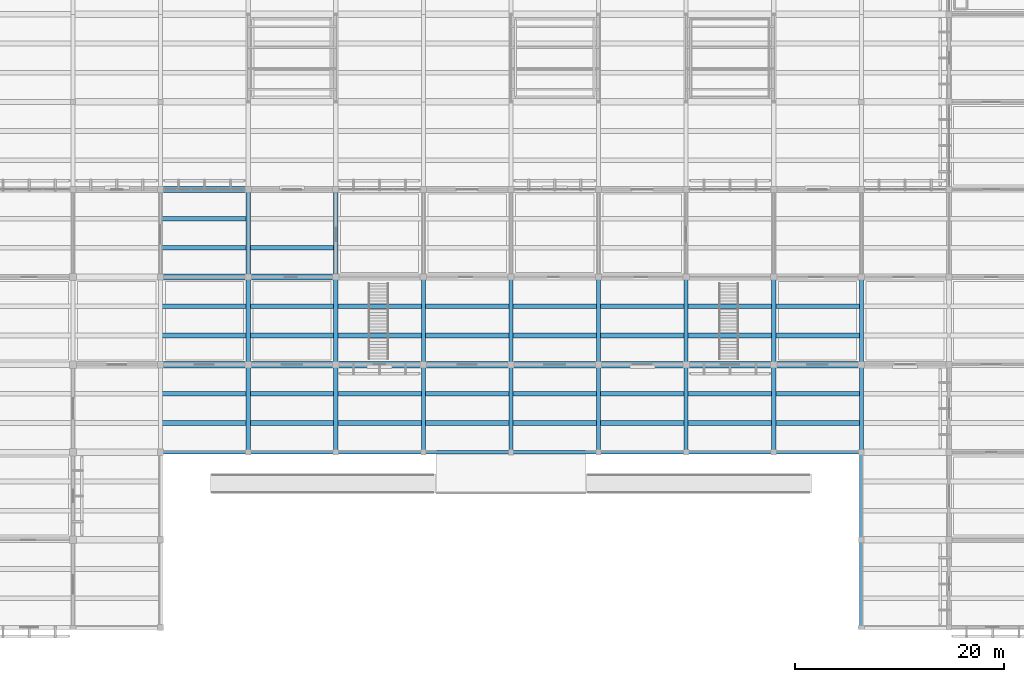
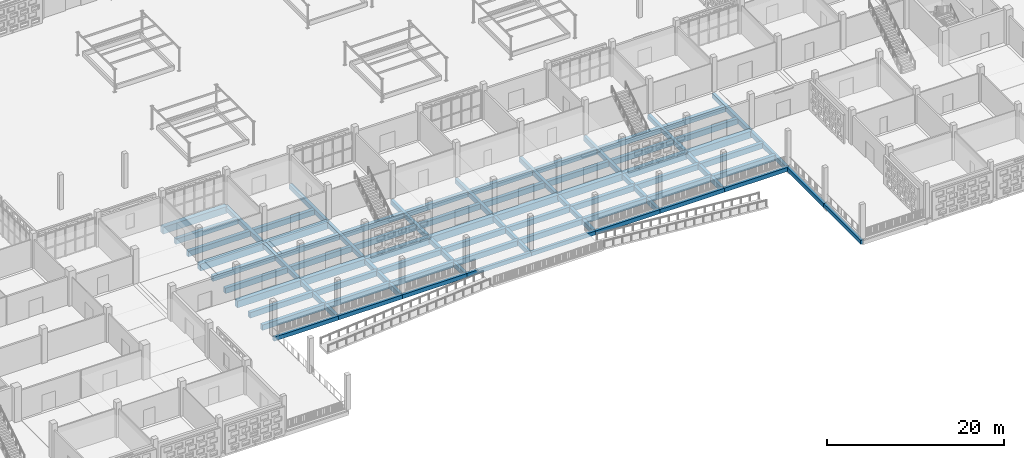
# One storey, part 8 of 129: 74 beams.
"""IFC4 building model written with IfcOpenShell, lengths in metres."""

from ifc_helpers import new_model, si_unit, direction, frame, origin, origin_2d, place, context, subcontext, project, spatial, rectangle, extrude, material, material_profile, profile_set, type_object, element, save


model = new_model("IFC4")

# Units and contexts
model_context = context("Model", 3, precision=1e-05, world=origin(), true_north=direction((0.0, 1.0)))
body_context = subcontext(model_context, "Body", "Model", "MODEL_VIEW")
ifc_project = project(units=[si_unit("LENGTHUNIT", "METRE"), si_unit("AREAUNIT", "SQUARE_METRE"), si_unit("VOLUMEUNIT", "CUBIC_METRE"), si_unit("PLANEANGLEUNIT", "RADIAN"), si_unit("MASSUNIT", "GRAM", prefix="KILO")], contexts=[model_context])

# Site, building, storey
site_placement = place(None, origin())
site = spatial("IfcSite", under=ifc_project, at=site_placement, CompositionType="ELEMENT")
building_placement = place(site_placement, origin())
building = spatial("IfcBuilding", under=site, at=building_placement, Name="Varnapada Polytechnic", CompositionType="ELEMENT")
storey_placement = place(building_placement, origin())
storey = spatial("IfcBuildingStorey", under=building, at=storey_placement, Name="L00", CompositionType="ELEMENT", Elevation=0.0)

# Beams
ifc_material = material(Name="Concrete C40/50", Category="concrete")
ifc_material_profile_1 = material_profile(ifc_material, rectangle(XDim=0.449951171875, YDim=0.75, at=origin_2d()), Name="RC 450x750")
ifc_profile_set_1 = profile_set([ifc_material_profile_1], Name="Concrete C40/50")
beam_type_1 = type_object("IfcBeamType", Name="Basement/podium secondary beam BB-01 (RC 450x750)", PredefinedType="BEAM", material=ifc_profile_set_1)
for number, where, z_axis, x_axis, name in (
    (1, (58.8798828125, 19.60009765625, -0.655029296875), (1.0, 0.0, 0.0), (0.0, 1.0, 0.0), "L00 floor joist 8/3.1"),
    (2, (58.8798828125, 22.39990234375, -0.655029296875), (1.0, 0.0, 0.0), (0.0, 1.0, 0.0), "L00 floor joist 8/3.2"),
    (3, (58.8798828125, 28.0, -0.675048828125), (1.0, 0.0, 0.0), (0.0, 1.0, 0.0), "L00 floor joist 8/4.1"),
    (4, (58.8798828125, 30.800048828125, -0.675048828125), (1.0, 0.0, 0.0), (0.0, 1.0, 0.0), "L00 floor joist 8/4.2"),
    (5, (58.8798828125, 36.39990234375, -0.675048828125), (1.0, 0.0, 0.0), (0.0, 1.0, 0.0), "L00 floor joist 8/5.1"),
    (6, (58.8798828125, 39.199951171875, -0.675048828125), (1.0, 0.0, 0.0), (0.0, 1.0, 0.0), "L00 floor joist 8/5.2"),
):
    element("IfcBeam", number, at=place(storey_placement, frame(where, z_axis=z_axis, x_axis=x_axis)), inside=storey, type_object=beam_type_1, Name=name, PredefinedType="BEAM", context=body_context, shape_type="SweptSolid", body=[
        extrude(rectangle(XDim=0.449951171875, YDim=0.75, at=origin_2d()), origin(), (0.0, 0.0, 1.0), 8.240234375),
    ])
for number, where, z_axis, x_axis, name in (
    (7, (67.280029296875, 19.60009765625, -0.655029296875), (1.0, 0.0, 0.0), (0.0, 1.0, 0.0), "L00 floor joist 9/3.1"),
    (8, (67.280029296875, 22.39990234375, -0.655029296875), (1.0, 0.0, 0.0), (0.0, 1.0, 0.0), "L00 floor joist 9/3.2"),
    (9, (67.280029296875, 28.0, -0.675048828125), (1.0, 0.0, 0.0), (0.0, 1.0, 0.0), "L00 floor joist 9/4.1"),
    (10, (67.280029296875, 30.800048828125, -0.675048828125), (1.0, 0.0, 0.0), (0.0, 1.0, 0.0), "L00 floor joist 9/4.2"),
    (11, (67.280029296875, 36.39990234375, -0.675048828125), (1.0, 0.0, 0.0), (0.0, 1.0, 0.0), "L00 floor joist 9/5.1"),
    (12, (75.679931640625, 19.60009765625, -0.655029296875), (1.0, 0.0, 0.0), (0.0, 1.0, 0.0), "L00 floor joist 10/3.1"),
    (13, (75.679931640625, 22.39990234375, -0.655029296875), (1.0, 0.0, 0.0), (0.0, 1.0, 0.0), "L00 floor joist 10/3.2"),
    (14, (75.679931640625, 28.0, -0.675048828125), (1.0, 0.0, 0.0), (0.0, 1.0, 0.0), "L00 floor joist 10/4.1"),
    (15, (75.679931640625, 30.800048828125, -0.675048828125), (1.0, 0.0, 0.0), (0.0, 1.0, 0.0), "L00 floor joist 10/4.2"),
    (16, (84.080078125, 19.60009765625, -0.655029296875), (1.0, 0.0, 0.0), (0.0, 1.0, 0.0), "L00 floor joist 11/3.1"),
    (17, (84.080078125, 22.39990234375, -0.655029296875), (1.0, 0.0, 0.0), (0.0, 1.0, 0.0), "L00 floor joist 11/3.2"),
    (18, (84.080078125, 28.0, -0.675048828125), (1.0, 0.0, 0.0), (0.0, 1.0, 0.0), "L00 floor joist 11/4.1"),
    (19, (84.080078125, 30.800048828125, -0.675048828125), (1.0, 0.0, 0.0), (0.0, 1.0, 0.0), "L00 floor joist 11/4.2"),
    (20, (92.47998046875, 19.60009765625, -0.655029296875), (1.0, 0.0, 0.0), (0.0, 1.0, 0.0), "L00 floor joist 12/3.1"),
    (21, (92.47998046875, 22.39990234375, -0.655029296875), (1.0, 0.0, 0.0), (0.0, 1.0, 0.0), "L00 floor joist 12/3.2"),
    (22, (92.47998046875, 28.0, -0.675048828125), (1.0, 0.0, 0.0), (0.0, 1.0, 0.0), "L00 floor joist 12/4.1"),
    (23, (92.47998046875, 30.800048828125, -0.675048828125), (1.0, 0.0, 0.0), (0.0, 1.0, 0.0), "L00 floor joist 12/4.2"),
):
    element("IfcBeam", number, at=place(storey_placement, frame(where, z_axis=z_axis, x_axis=x_axis)), inside=storey, type_object=beam_type_1, Name=name, PredefinedType="BEAM", context=body_context, shape_type="SweptSolid", body=[
        extrude(rectangle(XDim=0.449951171875, YDim=0.75, at=origin_2d()), origin(), (0.0, 0.0, 1.0), 8.239990234375),
    ])
for number, where, z_axis, x_axis, name in (
    (24, (100.8798828125, 19.60009765625, -0.655029296875), (1.0, 0.0, 0.0), (0.0, 1.0, 0.0), "L00 floor joist 13/3.1"),
    (25, (100.8798828125, 22.39990234375, -0.655029296875), (1.0, 0.0, 0.0), (0.0, 1.0, 0.0), "L00 floor joist 13/3.2"),
    (26, (100.8798828125, 28.0, -0.675048828125), (1.0, 0.0, 0.0), (0.0, 1.0, 0.0), "L00 floor joist 13/4.1"),
    (27, (100.8798828125, 30.800048828125, -0.675048828125), (1.0, 0.0, 0.0), (0.0, 1.0, 0.0), "L00 floor joist 13/4.2"),
):
    element("IfcBeam", number, at=place(storey_placement, frame(where, z_axis=z_axis, x_axis=x_axis)), inside=storey, type_object=beam_type_1, Name=name, PredefinedType="BEAM", context=body_context, shape_type="SweptSolid", body=[
        extrude(rectangle(XDim=0.449951171875, YDim=0.75, at=origin_2d()), origin(), (0.0, 0.0, 1.0), 8.240234375),
    ])
for number, where, z_axis, x_axis, name in (
    (28, (109.280029296875, 19.60009765625, -0.655029296875), (1.0, 0.0, 0.0), (0.0, 1.0, 0.0), "L00 floor joist 14/3.1"),
    (29, (109.280029296875, 22.39990234375, -0.655029296875), (1.0, 0.0, 0.0), (0.0, 1.0, 0.0), "L00 floor joist 14/3.2"),
    (30, (109.280029296875, 28.0, -0.675048828125), (1.0, 0.0, 0.0), (0.0, 1.0, 0.0), "L00 floor joist 14/4.1"),
    (31, (109.280029296875, 30.800048828125, -0.675048828125), (1.0, 0.0, 0.0), (0.0, 1.0, 0.0), "L00 floor joist 14/4.2"),
    (32, (117.679931640625, 19.60009765625, -0.655029296875), (1.0, 0.0, 0.0), (0.0, 1.0, 0.0), "L00 floor joist 15/3.1"),
    (33, (117.679931640625, 22.39990234375, -0.655029296875), (1.0, 0.0, 0.0), (0.0, 1.0, 0.0), "L00 floor joist 15/3.2"),
    (34, (117.679931640625, 28.0, -0.675048828125), (1.0, 0.0, 0.0), (0.0, 1.0, 0.0), "L00 floor joist 15/4.1"),
    (35, (117.679931640625, 30.800048828125, -0.675048828125), (1.0, 0.0, 0.0), (0.0, 1.0, 0.0), "L00 floor joist 15/4.2"),
):
    element("IfcBeam", number, at=place(storey_placement, frame(where, z_axis=z_axis, x_axis=x_axis)), inside=storey, type_object=beam_type_1, Name=name, PredefinedType="BEAM", context=body_context, shape_type="SweptSolid", body=[
        extrude(rectangle(XDim=0.449951171875, YDim=0.75, at=origin_2d()), origin(), (0.0, 0.0, 1.0), 8.239990234375),
    ])
ifc_material_profile_2 = material_profile(ifc_material, rectangle(XDim=0.35009765625, YDim=0.550048828125, at=origin_2d()), Name="RC 350x550")
ifc_profile_set_2 = profile_set([ifc_material_profile_2], Name="Concrete C40/50")
beam_type_2 = type_object("IfcBeamType", Name="Concrete podium spandrel beam SP-01 (RC 350x550)", PredefinedType="SPANDREL", material=ifc_profile_set_2)
beam_1_placement = place(storey_placement, frame((58.800048828125, 16.800048828125, -0.554931640625), z_axis=(1.0, 0.0, 0.0), x_axis=(0.0, 1.0, 0.0)))
element("IfcBeam", 36, at=beam_1_placement, inside=storey, type_object=beam_type_2, Name="L00 beam X 8-9 at Y3", PredefinedType="SPANDREL", context=body_context, shape_type="SweptSolid", body=[
    extrude(rectangle(XDim=0.35009765625, YDim=0.550048828125, at=origin_2d()), origin(), (0.0, 0.0, 1.0), 8.39990234375),
])
beam_2_placement = place(storey_placement, frame((67.199951171875, 16.800048828125, -0.554931640625), z_axis=(1.0, 0.0, 0.0), x_axis=(0.0, 1.0, 0.0)))
element("IfcBeam", 37, at=beam_2_placement, inside=storey, type_object=beam_type_2, Name="L00 beam X 9-10 at Y3", PredefinedType="SPANDREL", context=body_context, shape_type="SweptSolid", body=[
    extrude(rectangle(XDim=0.35009765625, YDim=0.550048828125, at=origin_2d()), origin(), (0.0, 0.0, 1.0), 8.400146484375),
])
for number, where, z_axis, x_axis, name in (
    (38, (75.60009765625, 16.800048828125, -0.554931640625), (1.0, 0.0, 0.0), (0.0, 1.0, 0.0), "L00 beam X 10-11 at Y3"),
    (39, (84.0, 16.800048828125, -0.554931640625), (1.0, 0.0, 0.0), (0.0, 1.0, 0.0), "L00 beam X 11-12 at Y3"),
):
    element("IfcBeam", number, at=place(storey_placement, frame(where, z_axis=z_axis, x_axis=x_axis)), inside=storey, type_object=beam_type_2, Name=name, PredefinedType="SPANDREL", context=body_context, shape_type="SweptSolid", body=[
        extrude(rectangle(XDim=0.35009765625, YDim=0.550048828125, at=origin_2d()), origin(), (0.0, 0.0, 1.0), 8.39990234375),
    ])
beam_3_placement = place(storey_placement, frame((92.39990234375, 16.800048828125, -0.554931640625), z_axis=(1.0, 0.0, 0.0), x_axis=(0.0, 1.0, 0.0)))
element("IfcBeam", 40, at=beam_3_placement, inside=storey, type_object=beam_type_2, Name="L00 beam X 12-13 at Y3", PredefinedType="SPANDREL", context=body_context, shape_type="SweptSolid", body=[
    extrude(rectangle(XDim=0.35009765625, YDim=0.550048828125, at=origin_2d()), origin(), (0.0, 0.0, 1.0), 8.400146484375),
])
beam_4_placement = place(storey_placement, frame((100.800048828125, 16.800048828125, -0.554931640625), z_axis=(1.0, 0.0, 0.0), x_axis=(0.0, 1.0, 0.0)))
element("IfcBeam", 41, at=beam_4_placement, inside=storey, type_object=beam_type_2, Name="L00 beam X 13-14 at Y3", PredefinedType="SPANDREL", context=body_context, shape_type="SweptSolid", body=[
    extrude(rectangle(XDim=0.35009765625, YDim=0.550048828125, at=origin_2d()), origin(), (0.0, 0.0, 1.0), 8.39990234375),
])
beam_5_placement = place(storey_placement, frame((109.199951171875, 16.800048828125, -0.554931640625), z_axis=(1.0, 0.0, 0.0), x_axis=(0.0, 1.0, 0.0)))
element("IfcBeam", 42, at=beam_5_placement, inside=storey, type_object=beam_type_2, Name="L00 beam X 14-15 at Y3", PredefinedType="SPANDREL", context=body_context, shape_type="SweptSolid", body=[
    extrude(rectangle(XDim=0.35009765625, YDim=0.550048828125, at=origin_2d()), origin(), (0.0, 0.0, 1.0), 8.400146484375),
])
for number, where, z_axis, x_axis, name in (
    (43, (117.60009765625, 16.800048828125, -0.554931640625), (1.0, 0.0, 0.0), (0.0, 1.0, 0.0), "L00 beam X 15-16 at Y3"),
    (44, (126.0, 0.0, -0.554931640625), (0.0, 1.0, 0.0), (-1.0, 0.0, 0.0), "L00 beam Y 1-2 at X16"),
):
    element("IfcBeam", number, at=place(storey_placement, frame(where, z_axis=z_axis, x_axis=x_axis)), inside=storey, type_object=beam_type_2, Name=name, PredefinedType="SPANDREL", context=body_context, shape_type="SweptSolid", body=[
        extrude(rectangle(XDim=0.35009765625, YDim=0.550048828125, at=origin_2d()), origin(), (0.0, 0.0, 1.0), 8.39990234375),
    ])
beam_6_placement = place(storey_placement, frame((126.0, 8.39990234375, -0.554931640625), z_axis=(0.0, 1.0, 0.0), x_axis=(-1.0, 0.0, 0.0)))
element("IfcBeam", 45, at=beam_6_placement, inside=storey, type_object=beam_type_2, Name="L00 beam Y 2-3 at X16", PredefinedType="SPANDREL", context=body_context, shape_type="SweptSolid", body=[
    extrude(rectangle(XDim=0.35009765625, YDim=0.550048828125, at=origin_2d()), origin(), (0.0, 0.0, 1.0), 8.400146484375),
])
ifc_material_profile_3 = material_profile(ifc_material, rectangle(XDim=0.39990234375, YDim=0.64990234375, at=origin_2d()), Name="RC 400x650")
ifc_profile_set_3 = profile_set([ifc_material_profile_3], Name="Concrete C40/50")
beam_type_3 = type_object("IfcBeamType", Name="Podium framing beam BB-02 (RC 400x650)", PredefinedType="BEAM", material=ifc_profile_set_3)
beam_7_placement = place(storey_placement, frame((67.199951171875, 16.800048828125, -0.625), z_axis=(0.0, 1.0, 0.0), x_axis=(-1.0, 0.0, 0.0)))
element("IfcBeam", 46, at=beam_7_placement, inside=storey, type_object=beam_type_3, Name="L00 beam Y 3-4 at X9", PredefinedType="BEAM", context=body_context, shape_type="SweptSolid", body=[
    extrude(rectangle(XDim=0.39990234375, YDim=0.64990234375, at=origin_2d()), origin(), (0.0, 0.0, 1.0), 8.39990234375),
])
beam_8_placement = place(storey_placement, frame((67.199951171875, 25.199951171875, -0.625), z_axis=(0.0, 1.0, 0.0), x_axis=(-1.0, 0.0, 0.0)))
element("IfcBeam", 47, at=beam_8_placement, inside=storey, type_object=beam_type_3, Name="L00 beam Y 4-5 at X9", PredefinedType="BEAM", context=body_context, shape_type="SweptSolid", body=[
    extrude(rectangle(XDim=0.39990234375, YDim=0.64990234375, at=origin_2d()), origin(), (0.0, 0.0, 1.0), 8.400146484375),
])
for number, where, z_axis, x_axis, name in (
    (48, (67.199951171875, 33.60009765625, -0.625), (0.0, 1.0, 0.0), (-1.0, 0.0, 0.0), "L00 beam Y 5-6 at X9"),
    (49, (75.60009765625, 16.800048828125, -0.625), (0.0, 1.0, 0.0), (-1.0, 0.0, 0.0), "L00 beam Y 3-4 at X10"),
):
    element("IfcBeam", number, at=place(storey_placement, frame(where, z_axis=z_axis, x_axis=x_axis)), inside=storey, type_object=beam_type_3, Name=name, PredefinedType="BEAM", context=body_context, shape_type="SweptSolid", body=[
        extrude(rectangle(XDim=0.39990234375, YDim=0.64990234375, at=origin_2d()), origin(), (0.0, 0.0, 1.0), 8.39990234375),
    ])
beam_9_placement = place(storey_placement, frame((75.60009765625, 25.199951171875, -0.625), z_axis=(0.0, 1.0, 0.0), x_axis=(-1.0, 0.0, 0.0)))
element("IfcBeam", 50, at=beam_9_placement, inside=storey, type_object=beam_type_3, Name="L00 beam Y 4-5 at X10", PredefinedType="BEAM", context=body_context, shape_type="SweptSolid", body=[
    extrude(rectangle(XDim=0.39990234375, YDim=0.64990234375, at=origin_2d()), origin(), (0.0, 0.0, 1.0), 8.400146484375),
])
for number, where, z_axis, x_axis, name in (
    (51, (75.60009765625, 33.60009765625, -0.625), (0.0, 1.0, 0.0), (-1.0, 0.0, 0.0), "L00 beam Y 5-6 at X10"),
    (52, (84.0, 16.800048828125, -0.625), (0.0, 1.0, 0.0), (-1.0, 0.0, 0.0), "L00 beam Y 3-4 at X11"),
):
    element("IfcBeam", number, at=place(storey_placement, frame(where, z_axis=z_axis, x_axis=x_axis)), inside=storey, type_object=beam_type_3, Name=name, PredefinedType="BEAM", context=body_context, shape_type="SweptSolid", body=[
        extrude(rectangle(XDim=0.39990234375, YDim=0.64990234375, at=origin_2d()), origin(), (0.0, 0.0, 1.0), 8.39990234375),
    ])
beam_10_placement = place(storey_placement, frame((84.0, 25.199951171875, -0.625), z_axis=(0.0, 1.0, 0.0), x_axis=(-1.0, 0.0, 0.0)))
element("IfcBeam", 53, at=beam_10_placement, inside=storey, type_object=beam_type_3, Name="L00 beam Y 4-5 at X11", PredefinedType="BEAM", context=body_context, shape_type="SweptSolid", body=[
    extrude(rectangle(XDim=0.39990234375, YDim=0.64990234375, at=origin_2d()), origin(), (0.0, 0.0, 1.0), 8.400146484375),
])
beam_11_placement = place(storey_placement, frame((92.39990234375, 16.800048828125, -0.625), z_axis=(0.0, 1.0, 0.0), x_axis=(-1.0, 0.0, 0.0)))
element("IfcBeam", 54, at=beam_11_placement, inside=storey, type_object=beam_type_3, Name="L00 beam Y 3-4 at X12", PredefinedType="BEAM", context=body_context, shape_type="SweptSolid", body=[
    extrude(rectangle(XDim=0.39990234375, YDim=0.64990234375, at=origin_2d()), origin(), (0.0, 0.0, 1.0), 8.39990234375),
])
beam_12_placement = place(storey_placement, frame((92.39990234375, 25.199951171875, -0.625), z_axis=(0.0, 1.0, 0.0), x_axis=(-1.0, 0.0, 0.0)))
element("IfcBeam", 55, at=beam_12_placement, inside=storey, type_object=beam_type_3, Name="L00 beam Y 4-5 at X12", PredefinedType="BEAM", context=body_context, shape_type="SweptSolid", body=[
    extrude(rectangle(XDim=0.39990234375, YDim=0.64990234375, at=origin_2d()), origin(), (0.0, 0.0, 1.0), 8.400146484375),
])
beam_13_placement = place(storey_placement, frame((100.800048828125, 16.800048828125, -0.625), z_axis=(0.0, 1.0, 0.0), x_axis=(-1.0, 0.0, 0.0)))
element("IfcBeam", 56, at=beam_13_placement, inside=storey, type_object=beam_type_3, Name="L00 beam Y 3-4 at X13", PredefinedType="BEAM", context=body_context, shape_type="SweptSolid", body=[
    extrude(rectangle(XDim=0.39990234375, YDim=0.64990234375, at=origin_2d()), origin(), (0.0, 0.0, 1.0), 8.39990234375),
])
beam_14_placement = place(storey_placement, frame((100.800048828125, 25.199951171875, -0.625), z_axis=(0.0, 1.0, 0.0), x_axis=(-1.0, 0.0, 0.0)))
element("IfcBeam", 57, at=beam_14_placement, inside=storey, type_object=beam_type_3, Name="L00 beam Y 4-5 at X13", PredefinedType="BEAM", context=body_context, shape_type="SweptSolid", body=[
    extrude(rectangle(XDim=0.39990234375, YDim=0.64990234375, at=origin_2d()), origin(), (0.0, 0.0, 1.0), 8.400146484375),
])
beam_15_placement = place(storey_placement, frame((109.199951171875, 16.800048828125, -0.625), z_axis=(0.0, 1.0, 0.0), x_axis=(-1.0, 0.0, 0.0)))
element("IfcBeam", 58, at=beam_15_placement, inside=storey, type_object=beam_type_3, Name="L00 beam Y 3-4 at X14", PredefinedType="BEAM", context=body_context, shape_type="SweptSolid", body=[
    extrude(rectangle(XDim=0.39990234375, YDim=0.64990234375, at=origin_2d()), origin(), (0.0, 0.0, 1.0), 8.39990234375),
])
beam_16_placement = place(storey_placement, frame((109.199951171875, 25.199951171875, -0.625), z_axis=(0.0, 1.0, 0.0), x_axis=(-1.0, 0.0, 0.0)))
element("IfcBeam", 59, at=beam_16_placement, inside=storey, type_object=beam_type_3, Name="L00 beam Y 4-5 at X14", PredefinedType="BEAM", context=body_context, shape_type="SweptSolid", body=[
    extrude(rectangle(XDim=0.39990234375, YDim=0.64990234375, at=origin_2d()), origin(), (0.0, 0.0, 1.0), 8.400146484375),
])
beam_17_placement = place(storey_placement, frame((117.60009765625, 16.800048828125, -0.625), z_axis=(0.0, 1.0, 0.0), x_axis=(-1.0, 0.0, 0.0)))
element("IfcBeam", 60, at=beam_17_placement, inside=storey, type_object=beam_type_3, Name="L00 beam Y 3-4 at X15", PredefinedType="BEAM", context=body_context, shape_type="SweptSolid", body=[
    extrude(rectangle(XDim=0.39990234375, YDim=0.64990234375, at=origin_2d()), origin(), (0.0, 0.0, 1.0), 8.39990234375),
])
beam_18_placement = place(storey_placement, frame((117.60009765625, 25.199951171875, -0.625), z_axis=(0.0, 1.0, 0.0), x_axis=(-1.0, 0.0, 0.0)))
element("IfcBeam", 61, at=beam_18_placement, inside=storey, type_object=beam_type_3, Name="L00 beam Y 4-5 at X15", PredefinedType="BEAM", context=body_context, shape_type="SweptSolid", body=[
    extrude(rectangle(XDim=0.39990234375, YDim=0.64990234375, at=origin_2d()), origin(), (0.0, 0.0, 1.0), 8.400146484375),
])
beam_19_placement = place(storey_placement, frame((126.0, 16.800048828125, -0.625), z_axis=(0.0, 1.0, 0.0), x_axis=(-1.0, 0.0, 0.0)))
element("IfcBeam", 62, at=beam_19_placement, inside=storey, type_object=beam_type_3, Name="L00 beam Y 3-4 at X16", PredefinedType="BEAM", context=body_context, shape_type="SweptSolid", body=[
    extrude(rectangle(XDim=0.39990234375, YDim=0.64990234375, at=origin_2d()), origin(), (0.0, 0.0, 1.0), 8.39990234375),
])
beam_20_placement = place(storey_placement, frame((126.0, 25.199951171875, -0.625), z_axis=(0.0, 1.0, 0.0), x_axis=(-1.0, 0.0, 0.0)))
element("IfcBeam", 63, at=beam_20_placement, inside=storey, type_object=beam_type_3, Name="L00 beam Y 4-5 at X16", PredefinedType="BEAM", context=body_context, shape_type="SweptSolid", body=[
    extrude(rectangle(XDim=0.39990234375, YDim=0.64990234375, at=origin_2d()), origin(), (0.0, 0.0, 1.0), 8.400146484375),
])
ifc_material_profile_4 = material_profile(ifc_material, rectangle(XDim=0.60009765625, YDim=0.949951171875, at=origin_2d()), Name="RC 600x950")
ifc_profile_set_4 = profile_set([ifc_material_profile_4], Name="Concrete C40/50")
beam_type_4 = type_object("IfcBeamType", Name="Workshop podium heavy girder BG-03 (RC 600x950)", PredefinedType="T_BEAM", material=ifc_profile_set_4)
for number, where, z_axis, x_axis, name in (
    (64, (58.800048828125, 25.199951171875, -0.77490234375), (1.0, 0.0, 0.0), (0.0, 1.0, 0.0), "L00 beam X 8-9 at Y4"),
    (65, (58.800048828125, 33.60009765625, -0.77490234375), (1.0, 0.0, 0.0), (0.0, 1.0, 0.0), "L00 beam X 8-9 at Y5"),
    (66, (58.800048828125, 42.0, -0.77490234375), (1.0, 0.0, 0.0), (0.0, 1.0, 0.0), "L00 beam X 8-9 at Y6"),
):
    element("IfcBeam", number, at=place(storey_placement, frame(where, z_axis=z_axis, x_axis=x_axis)), inside=storey, type_object=beam_type_4, Name=name, PredefinedType="T_BEAM", context=body_context, shape_type="SweptSolid", body=[
        extrude(rectangle(XDim=0.60009765625, YDim=0.949951171875, at=origin_2d()), origin(), (0.0, 0.0, 1.0), 8.39990234375),
    ])
for number, where, z_axis, x_axis, name in (
    (67, (67.199951171875, 25.199951171875, -0.77490234375), (1.0, 0.0, 0.0), (0.0, 1.0, 0.0), "L00 beam X 9-10 at Y4"),
    (68, (67.199951171875, 33.60009765625, -0.77490234375), (1.0, 0.0, 0.0), (0.0, 1.0, 0.0), "L00 beam X 9-10 at Y5"),
):
    element("IfcBeam", number, at=place(storey_placement, frame(where, z_axis=z_axis, x_axis=x_axis)), inside=storey, type_object=beam_type_4, Name=name, PredefinedType="T_BEAM", context=body_context, shape_type="SweptSolid", body=[
        extrude(rectangle(XDim=0.60009765625, YDim=0.949951171875, at=origin_2d()), origin(), (0.0, 0.0, 1.0), 8.400146484375),
    ])
for number, where, z_axis, x_axis, name in (
    (69, (75.60009765625, 25.199951171875, -0.77490234375), (1.0, 0.0, 0.0), (0.0, 1.0, 0.0), "L00 beam X 10-11 at Y4"),
    (70, (84.0, 25.199951171875, -0.77490234375), (1.0, 0.0, 0.0), (0.0, 1.0, 0.0), "L00 beam X 11-12 at Y4"),
):
    element("IfcBeam", number, at=place(storey_placement, frame(where, z_axis=z_axis, x_axis=x_axis)), inside=storey, type_object=beam_type_4, Name=name, PredefinedType="T_BEAM", context=body_context, shape_type="SweptSolid", body=[
        extrude(rectangle(XDim=0.60009765625, YDim=0.949951171875, at=origin_2d()), origin(), (0.0, 0.0, 1.0), 8.39990234375),
    ])
beam_21_placement = place(storey_placement, frame((92.39990234375, 25.199951171875, -0.77490234375), z_axis=(1.0, 0.0, 0.0), x_axis=(0.0, 1.0, 0.0)))
element("IfcBeam", 71, at=beam_21_placement, inside=storey, type_object=beam_type_4, Name="L00 beam X 12-13 at Y4", PredefinedType="T_BEAM", context=body_context, shape_type="SweptSolid", body=[
    extrude(rectangle(XDim=0.60009765625, YDim=0.949951171875, at=origin_2d()), origin(), (0.0, 0.0, 1.0), 8.400146484375),
])
beam_22_placement = place(storey_placement, frame((100.800048828125, 25.199951171875, -0.77490234375), z_axis=(1.0, 0.0, 0.0), x_axis=(0.0, 1.0, 0.0)))
element("IfcBeam", 72, at=beam_22_placement, inside=storey, type_object=beam_type_4, Name="L00 beam X 13-14 at Y4", PredefinedType="T_BEAM", context=body_context, shape_type="SweptSolid", body=[
    extrude(rectangle(XDim=0.60009765625, YDim=0.949951171875, at=origin_2d()), origin(), (0.0, 0.0, 1.0), 8.39990234375),
])
beam_23_placement = place(storey_placement, frame((109.199951171875, 25.199951171875, -0.77490234375), z_axis=(1.0, 0.0, 0.0), x_axis=(0.0, 1.0, 0.0)))
element("IfcBeam", 73, at=beam_23_placement, inside=storey, type_object=beam_type_4, Name="L00 beam X 14-15 at Y4", PredefinedType="T_BEAM", context=body_context, shape_type="SweptSolid", body=[
    extrude(rectangle(XDim=0.60009765625, YDim=0.949951171875, at=origin_2d()), origin(), (0.0, 0.0, 1.0), 8.400146484375),
])
beam_24_placement = place(storey_placement, frame((117.60009765625, 25.199951171875, -0.77490234375), z_axis=(1.0, 0.0, 0.0), x_axis=(0.0, 1.0, 0.0)))
element("IfcBeam", 74, at=beam_24_placement, inside=storey, type_object=beam_type_4, Name="L00 beam X 15-16 at Y4", PredefinedType="T_BEAM", context=body_context, shape_type="SweptSolid", body=[
    extrude(rectangle(XDim=0.60009765625, YDim=0.949951171875, at=origin_2d()), origin(), (0.0, 0.0, 1.0), 8.39990234375),
])

save(model, "model.ifc")
